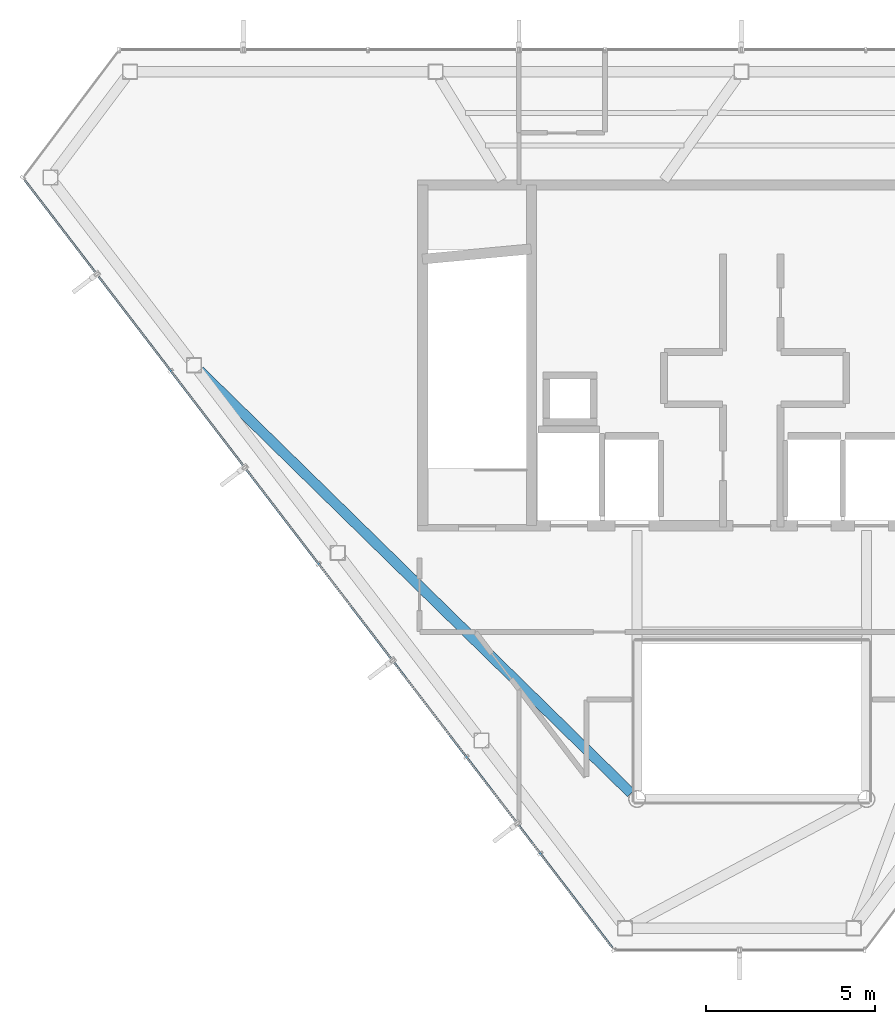
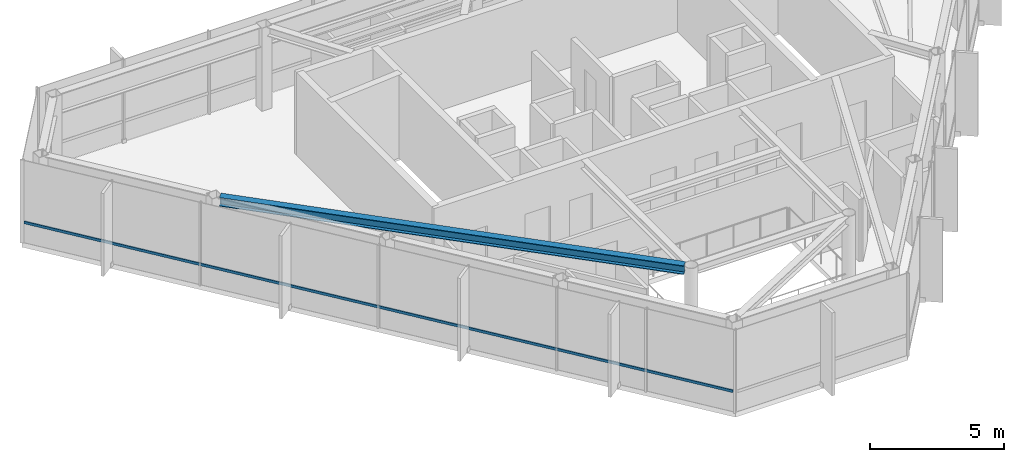
# One storey, part 4 of 21: 1 beam, 1 member, 1 element without a shape of its own.
"""IFC4 building model written with IfcOpenShell, lengths in metres."""

from ifc_helpers import new_model, si_unit, direction, frame, origin, origin_2d, place, context, subcontext, project, spatial, hollow_rectangle, i_section, extrude, material, layer, layer_set, material_profile, profile_set, type_object, element, aggregate, save


model = new_model("IFC4")

# Units and contexts
model_context = context("Model", 3, precision=1e-05, world=origin(), true_north=direction((0.0, 1.0)))
body_context = subcontext(model_context, "Body", "Model", "MODEL_VIEW")
ifc_project = project(units=[si_unit("LENGTHUNIT", "METRE"), si_unit("AREAUNIT", "SQUARE_METRE"), si_unit("VOLUMEUNIT", "CUBIC_METRE"), si_unit("PLANEANGLEUNIT", "RADIAN"), si_unit("MASSUNIT", "GRAM", prefix="KILO")], contexts=[model_context])

# Site, building, storey
site_placement = place(None, origin())
site = spatial("IfcSite", under=ifc_project, at=site_placement, CompositionType="ELEMENT")
building_placement = place(site_placement, origin())
building = spatial("IfcBuilding", under=site, at=building_placement, Name="Zarrinselat Tower", CompositionType="ELEMENT")
storey_placement = place(building_placement, frame((0.0, 0.0, 299.199951171875)))
storey = spatial("IfcBuildingStorey", under=building, at=storey_placement, Name="L77", CompositionType="ELEMENT", Elevation=299.199951171875)

# Beam
ifc_material_1 = material(Name="Steel S355J2", Category="steel")
ifc_material_profile_1 = material_profile(ifc_material_1, i_section(OverallWidth=0.300048828125, OverallDepth=0.39990234375, WebThickness=0.013427734375, FlangeThickness=0.02392578125, at=origin_2d()), Name="HEB 400")
ifc_profile_set_1 = profile_set([ifc_material_profile_1], Name="Steel S355J2")
beam_type = type_object("IfcBeamType", Name="BM-HEB400", PredefinedType="BEAM", material=ifc_profile_set_1)
beam_placement = place(storey_placement, frame((22.03564453125, 37.89599609375, 3.580078125), z_axis=(0.71446240217, -0.699673835358, 0.0), x_axis=(0.699673835358, 0.71446240217, 0.0)))
element("IfcBeam", 1, at=beam_placement, inside=storey, type_object=beam_type, Name="L77 Radial Primary Girder RG07", PredefinedType="BEAM", context=body_context, shape_type="SweptSolid", body=[
    extrude(i_section(OverallWidth=0.300048828125, OverallDepth=0.39990234375, WebThickness=0.013427734375, FlangeThickness=0.02392578125, at=origin_2d()), origin(), (0.0, 0.0, 1.0), 17.8955078125),
])

# Curtain wall, member
ifc_material_2 = material(Name="Extruded Aluminium Alloy EN AW-6063 T6", Category="aluminium")
ifc_layer = layer(ifc_material_2, 0.169921875)
ifc_layer_set = layer_set([ifc_layer], Name="Extruded Aluminium Alloy EN AW-6063 T6")
curtain_wall_type = type_object("IfcCurtainWallType", Name="CWS-RES", PredefinedType="NOTDEFINED", material=ifc_layer_set)
curtain_wall_placement = place(storey_placement, origin())
curtain_wall = element("IfcCurtainWall", 2, at=curtain_wall_placement, inside=storey, type_object=curtain_wall_type, Name="L77 Unitised Curtain Wall CW-L77-E03", PredefinedType="NOTDEFINED")
ifc_material_3 = material(Name="Extruded Aluminium Alloy EN AW-6063 T6", Category="aluminium")
ifc_material_profile_2 = material_profile(ifc_material_3, hollow_rectangle(XDim=0.06005859375, YDim=0.1201171875, WallThickness=0.00390625, at=origin_2d()), Name="RHS 120x60x4")
ifc_profile_set_2 = profile_set([ifc_material_profile_2], Name="Extruded Aluminium Alloy EN AW-6063 T6")
member_type = type_object("IfcMemberType", Name="MEM-CW-TRN2", PredefinedType="USERDEFINED", material=ifc_profile_set_2)
member_placement = place(storey_placement, frame((16.85498046875, 43.5400390625, 0.949951171875), z_axis=(0.607906808712, -0.794008382778, 0.0), x_axis=(0.794008382778, 0.607906808712, 0.0)))
member = element("IfcMember", 3, at=member_placement, type_object=member_type, Name="CW-L77-E03 Transom 1", ObjectType="TRANSOM", PredefinedType="USERDEFINED", context=body_context, shape_type="SweptSolid", body=[
    extrude(hollow_rectangle(XDim=0.06005859375, YDim=0.1201171875, WallThickness=0.00390625, at=origin_2d()), origin(), (0.0, 0.0, 1.0), 28.64599609375),
])
aggregate(curtain_wall, [member])

save(model, "model.ifc")
